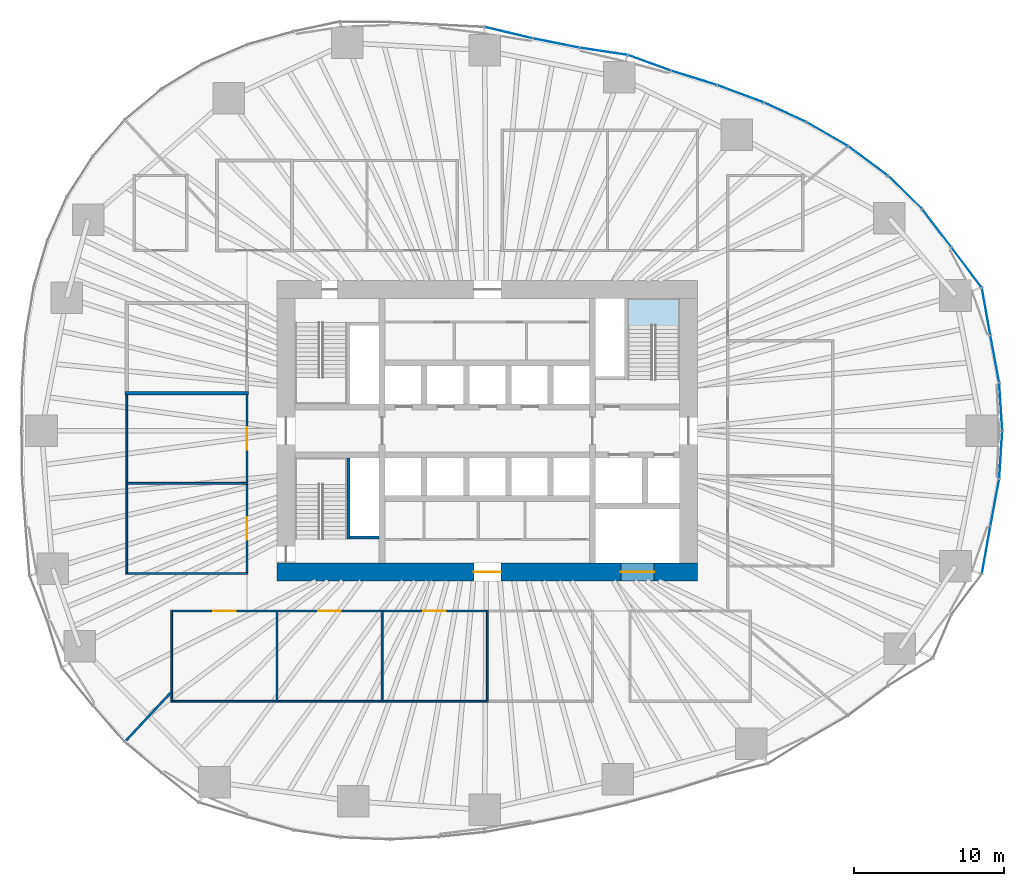
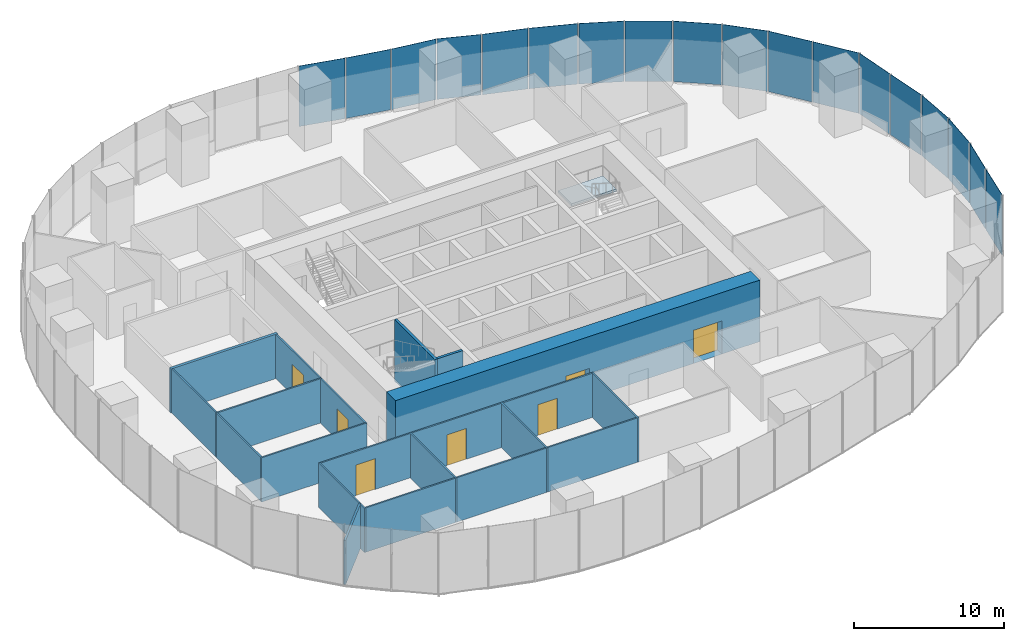
# One storey, part 9 of 20: 21 walls, 18 plates, 7 doors, 1 slab, 7 openings, 7 elements without a shape of their own.
"""IFC4 building model written with IfcOpenShell, lengths in metres."""

from ifc_helpers import new_model, si_unit, direction, frame, frame_2d, origin, origin_2d, place, context, subcontext, project, spatial, polyline, rectangle, outline, extrude, material, layer, layer_set, type_object, element, fill, aggregate, save


model = new_model("IFC4")

# Units and contexts
model_context = context("Model", 3, precision=1e-05, world=origin(), true_north=direction((0.0, 1.0)))
body_context = subcontext(model_context, "Body", "Model", "MODEL_VIEW")
ifc_project = project(units=[si_unit("LENGTHUNIT", "METRE"), si_unit("AREAUNIT", "SQUARE_METRE"), si_unit("VOLUMEUNIT", "CUBIC_METRE"), si_unit("PLANEANGLEUNIT", "RADIAN"), si_unit("MASSUNIT", "GRAM", prefix="KILO")], contexts=[model_context])

# Site, building, storey
site_placement = place(None, origin())
site = spatial("IfcSite", under=ifc_project, at=site_placement, CompositionType="ELEMENT")
building_placement = place(site_placement, origin())
building = spatial("IfcBuilding", under=site, at=building_placement, Name="Ghaith Harvest Tower", CompositionType="ELEMENT")
storey_placement = place(building_placement, frame((0.0, 0.0, 45.0)))
storey = spatial("IfcBuildingStorey", under=building, at=storey_placement, Name="L09", CompositionType="ELEMENT", Elevation=45.0)

# Curtain wall, plates
ifc_material_1 = material(Name="Black anodised aluminium and fritted glass", Category="aluminium")
curtain_wall_type = type_object("IfcCurtainWallType", Name="CW-F CURTAIN WALL", PredefinedType="NOTDEFINED", material=ifc_material_1)
curtain_wall_1_placement = place(storey_placement, origin())
curtain_wall_1 = element("IfcCurtainWall", 1, at=curtain_wall_1_placement, inside=storey, type_object=curtain_wall_type, Name="Curtain wall CW-F bay 01 L09", PredefinedType="NOTDEFINED")
ifc_material_2 = material(Name="Glass, high-transmission fritted double glazed unit", Category="glass")
ifc_layer_1 = layer(ifc_material_2, 0.028076171875)
ifc_layer_set_1 = layer_set([ifc_layer_1], Name="CW-F VISION PANEL")
plate_type = type_object("IfcPlateType", Name="CW-F VISION PANEL", PredefinedType="CURTAIN_PANEL", material=ifc_layer_set_1)
plate_1_placement = place(storey_placement, frame((34.181396484375, 1.602783203125, 0.080078125), z_axis=(0.0, 0.0, 1.0), x_axis=(-0.064445645786, 0.997921218704, 0.0)))
plate_1 = element("IfcPlate", 2, at=plate_1_placement, type_object=plate_type, Name="CW-F panel 1 bay 01 L09", PredefinedType="CURTAIN_PANEL", context=body_context, shape_type="SweptSolid", body=[
    extrude(rectangle(XDim=3.132080078125, YDim=0.028076171875, at=origin_2d()), origin(), (0.0, 0.0, 1.0), 4.919921875),
])
plate_2_placement = place(storey_placement, frame((33.78369140625, 4.78076171875, 0.080078125), z_axis=(0.0, 0.0, 1.0), x_axis=(-0.183569249502, 0.983006780565, 0.0)))
plate_2 = element("IfcPlate", 3, at=plate_2_placement, type_object=plate_type, Name="CW-F panel 2 bay 01 L09", PredefinedType="CURTAIN_PANEL", context=body_context, shape_type="SweptSolid", body=[
    extrude(rectangle(XDim=3.12548828125, YDim=0.028076171875, at=origin_2d()), origin(), (0.0, 0.0, 1.0), 4.919921875),
])
plate_3_placement = place(storey_placement, frame((33.20654296875, 7.93603515625, 0.080078125), z_axis=(0.0, 0.0, 1.0), x_axis=(-0.176319663586, 0.984332960046, 0.0)))
plate_3 = element("IfcPlate", 4, at=plate_3_placement, type_object=plate_type, Name="CW-F panel 3 bay 01 L09", PredefinedType="CURTAIN_PANEL", context=body_context, shape_type="SweptSolid", body=[
    extrude(rectangle(XDim=3.129638671875, YDim=0.028076171875, at=origin_2d()), origin(), (0.0, 0.0, 1.0), 4.919921875),
])
aggregate(curtain_wall_1, [plate_1, plate_2, plate_3])

curtain_wall_2_placement = place(storey_placement, origin())
curtain_wall_2 = element("IfcCurtainWall", 5, at=curtain_wall_2_placement, inside=storey, type_object=curtain_wall_type, Name="Curtain wall CW-F bay 02 L09", PredefinedType="NOTDEFINED")
plate_4_placement = place(storey_placement, frame((31.91015625, 10.865234375, 0.080078125), z_axis=(0.0, 0.0, 1.0), x_axis=(-0.600454091192, 0.799659230154, 0.0)))
plate_4 = element("IfcPlate", 6, at=plate_4_placement, type_object=plate_type, Name="CW-F panel 1 bay 02 L09", PredefinedType="CURTAIN_PANEL", context=body_context, shape_type="SweptSolid", body=[
    extrude(rectangle(XDim=3.295654296875, YDim=0.028076171875, at=origin_2d()), origin(), (0.0, 0.0, 1.0), 4.919921875),
])
plate_5_placement = place(storey_placement, frame((29.921875, 13.4892578125, 0.080078125), z_axis=(0.0, 0.0, 1.0), x_axis=(-0.607611877494, 0.794234100457, 0.0)))
plate_5 = element("IfcPlate", 7, at=plate_5_placement, type_object=plate_type, Name="CW-F panel 2 bay 02 L09", PredefinedType="CURTAIN_PANEL", context=body_context, shape_type="SweptSolid", body=[
    extrude(rectangle(XDim=3.128662109375, YDim=0.028076171875, at=origin_2d()), origin(), (0.0, 0.0, 1.0), 4.919921875),
])
plate_6_placement = place(storey_placement, frame((27.810546875, 15.869384765625, 0.080078125), z_axis=(0.0, 0.0, 1.0), x_axis=(-0.716691335472, 0.69739051446, 0.0)))
plate_6 = element("IfcPlate", 8, at=plate_6_placement, type_object=plate_type, Name="CW-F panel 3 bay 02 L09", PredefinedType="CURTAIN_PANEL", context=body_context, shape_type="SweptSolid", body=[
    extrude(rectangle(XDim=3.092041015625, YDim=0.028076171875, at=origin_2d()), origin(), (0.0, 0.0, 1.0), 4.919921875),
])
aggregate(curtain_wall_2, [plate_4, plate_5, plate_6])

curtain_wall_3_placement = place(storey_placement, origin())
curtain_wall_3 = element("IfcCurtainWall", 9, at=curtain_wall_3_placement, inside=storey, type_object=curtain_wall_type, Name="Curtain wall CW-F bay 03 L09", PredefinedType="NOTDEFINED")
plate_7_placement = place(storey_placement, frame((25.34619140625, 17.96142578125, 0.080078125), z_axis=(0.0, 0.0, 1.0), x_axis=(-0.802866788578, 0.596158468697, 0.0)))
plate_7 = element("IfcPlate", 10, at=plate_7_placement, type_object=plate_type, Name="CW-F panel 1 bay 03 L09", PredefinedType="CURTAIN_PANEL", context=body_context, shape_type="SweptSolid", body=[
    extrude(rectangle(XDim=3.2275390625, YDim=0.028076171875, at=origin_2d()), origin(), (0.0, 0.0, 1.0), 4.919921875),
])
plate_8_placement = place(storey_placement, frame((22.626953125, 19.750244140625, 0.080078125), z_axis=(0.0, 0.0, 1.0), x_axis=(-0.866159208358, 0.499768172033, 0.0)))
plate_8 = element("IfcPlate", 11, at=plate_8_placement, type_object=plate_type, Name="CW-F panel 2 bay 03 L09", PredefinedType="CURTAIN_PANEL", context=body_context, shape_type="SweptSolid", body=[
    extrude(rectangle(XDim=3.1328125, YDim=0.028076171875, at=origin_2d()), origin(), (0.0, 0.0, 1.0), 4.919921875),
])
plate_9_placement = place(storey_placement, frame((19.8291015625, 21.19970703125, 0.080078125), z_axis=(0.0, 0.0, 1.0), x_axis=(-0.908529586897, 0.417820523351, 0.0)))
plate_9 = element("IfcPlate", 12, at=plate_9_placement, type_object=plate_type, Name="CW-F panel 3 bay 03 L09", PredefinedType="CURTAIN_PANEL", context=body_context, shape_type="SweptSolid", body=[
    extrude(rectangle(XDim=3.01611328125, YDim=0.028076171875, at=origin_2d()), origin(), (0.0, 0.0, 1.0), 4.919921875),
])
aggregate(curtain_wall_3, [plate_7, plate_8, plate_9])

curtain_wall_4_placement = place(storey_placement, origin())
curtain_wall_4 = element("IfcCurtainWall", 13, at=curtain_wall_4_placement, inside=storey, type_object=curtain_wall_type, Name="Curtain wall CW-F bay 04 L09", PredefinedType="NOTDEFINED")
plate_10_placement = place(storey_placement, frame((16.85498046875, 22.431396484375, 0.080078125), z_axis=(0.0, 0.0, 1.0), x_axis=(-0.936926487964, 0.349526474178, 0.0)))
plate_10 = element("IfcPlate", 14, at=plate_10_placement, type_object=plate_type, Name="CW-F panel 1 bay 04 L09", PredefinedType="CURTAIN_PANEL", context=body_context, shape_type="SweptSolid", body=[
    extrude(rectangle(XDim=3.26611328125, YDim=0.028076171875, at=origin_2d()), origin(), (0.0, 0.0, 1.0), 4.919921875),
])
plate_11_placement = place(storey_placement, frame((13.760986328125, 23.490234375, 0.080078125), z_axis=(0.0, 0.0, 1.0), x_axis=(-0.954988265421, 0.296643578911, 0.0)))
plate_11 = element("IfcPlate", 15, at=plate_11_placement, type_object=plate_type, Name="CW-F panel 2 bay 04 L09", PredefinedType="CURTAIN_PANEL", context=body_context, shape_type="SweptSolid", body=[
    extrude(rectangle(XDim=3.1171875, YDim=0.028076171875, at=origin_2d()), origin(), (0.0, 0.0, 1.0), 4.919921875),
])
plate_12_placement = place(storey_placement, frame((10.793212890625, 24.490234375, 0.080078125), z_axis=(0.0, 0.0, 1.0), x_axis=(-0.939438435482, 0.342717705902, 0.0)))
plate_12 = element("IfcPlate", 16, at=plate_12_placement, type_object=plate_type, Name="CW-F panel 3 bay 04 L09", PredefinedType="CURTAIN_PANEL", context=body_context, shape_type="SweptSolid", body=[
    extrude(rectangle(XDim=2.98828125, YDim=0.028076171875, at=origin_2d()), origin(), (0.0, 0.0, 1.0), 4.919921875),
])
aggregate(curtain_wall_4, [plate_10, plate_11, plate_12])

curtain_wall_5_placement = place(storey_placement, origin())
curtain_wall_5 = element("IfcCurtainWall", 17, at=curtain_wall_5_placement, inside=storey, type_object=curtain_wall_type, Name="Curtain wall CW-F bay 05 L09", PredefinedType="NOTDEFINED")
plate_13_placement = place(storey_placement, frame((7.744384765625, 25.255615234375, 0.080078125), z_axis=(0.0, 0.0, 1.0), x_axis=(-0.989074249382, 0.147418211935, 0.0)))
plate_13 = element("IfcPlate", 18, at=plate_13_placement, type_object=plate_type, Name="CW-F panel 1 bay 05 L09", PredefinedType="CURTAIN_PANEL", context=body_context, shape_type="SweptSolid", body=[
    extrude(rectangle(XDim=3.17041015625, YDim=0.028076171875, at=origin_2d()), origin(), (0.0, 0.0, 1.0), 4.919921875),
])
plate_14_placement = place(storey_placement, frame((4.5732421875, 25.809326171875, 0.080078125), z_axis=(0.0, 0.0, 1.0), x_axis=(-0.980432348069, 0.196856320344, 0.0)))
plate_14 = element("IfcPlate", 19, at=plate_14_placement, type_object=plate_type, Name="CW-F panel 2 bay 05 L09", PredefinedType="CURTAIN_PANEL", context=body_context, shape_type="SweptSolid", body=[
    extrude(rectangle(XDim=3.1103515625, YDim=0.028076171875, at=origin_2d()), origin(), (0.0, 0.0, 1.0), 4.919921875),
])
plate_15_placement = place(storey_placement, frame((1.41259765625, 26.500244140625, 0.080078125), z_axis=(0.0, 0.0, 1.0), x_axis=(-0.97324595378, 0.229765779545, 0.0)))
plate_15 = element("IfcPlate", 20, at=plate_15_placement, type_object=plate_type, Name="CW-F panel 3 bay 05 L09", PredefinedType="CURTAIN_PANEL", context=body_context, shape_type="SweptSolid", body=[
    extrude(rectangle(XDim=3.200927734375, YDim=0.028076171875, at=origin_2d()), origin(), (0.0, 0.0, 1.0), 4.919921875),
])
aggregate(curtain_wall_5, [plate_13, plate_14, plate_15])

curtain_wall_6_placement = place(storey_placement, origin())
curtain_wall_6 = element("IfcCurtainWall", 21, at=curtain_wall_6_placement, inside=storey, type_object=curtain_wall_type, Name="Curtain wall CW-F bay 20 L09", PredefinedType="NOTDEFINED")
plate_16_placement = place(storey_placement, frame((33.20654296875, -7.93603515625, 0.080078125), z_axis=(0.0, 0.0, 1.0), x_axis=(0.176319663878, 0.984332959994, 0.0)))
plate_16 = element("IfcPlate", 22, at=plate_16_placement, type_object=plate_type, Name="CW-F panel 1 bay 20 L09", PredefinedType="CURTAIN_PANEL", context=body_context, shape_type="SweptSolid", body=[
    extrude(rectangle(XDim=3.129638671875, YDim=0.028076171875, at=origin_2d()), origin(), (0.0, 0.0, 1.0), 4.919921875),
])
plate_17_placement = place(storey_placement, frame((33.78369140625, -4.78076171875, 0.080078125), z_axis=(0.0, 0.0, 1.0), x_axis=(0.183569249777, 0.983006780514, 0.0)))
plate_17 = element("IfcPlate", 23, at=plate_17_placement, type_object=plate_type, Name="CW-F panel 2 bay 20 L09", PredefinedType="CURTAIN_PANEL", context=body_context, shape_type="SweptSolid", body=[
    extrude(rectangle(XDim=3.12548828125, YDim=0.028076171875, at=origin_2d()), origin(), (0.0, 0.0, 1.0), 4.919921875),
])
plate_18_placement = place(storey_placement, frame((34.181396484375, -1.602783203125, 0.080078125), z_axis=(0.0, 0.0, 1.0), x_axis=(0.064445645891, 0.997921218697, 0.0)))
plate_18 = element("IfcPlate", 24, at=plate_18_placement, type_object=plate_type, Name="CW-F panel 3 bay 20 L09", PredefinedType="CURTAIN_PANEL", context=body_context, shape_type="SweptSolid", body=[
    extrude(rectangle(XDim=3.132080078125, YDim=0.028076171875, at=origin_2d()), origin(), (0.0, 0.0, 1.0), 4.919921875),
])
aggregate(curtain_wall_6, [plate_16, plate_17, plate_18])

# Stair, slab
ifc_material_3 = material(Name="Concrete C40/50, precast", Category="concrete")
stair_type = type_object("IfcStairType", Name="CORE STAIR 28R", PredefinedType="HALF_TURN_STAIR", material=ifc_material_3)
stair_placement = place(storey_placement, origin())
stair = element("IfcStair", 25, at=stair_placement, inside=storey, type_object=stair_type, Name="Stair ST2 L09", PredefinedType="HALF_TURN_STAIR")
ifc_material_4 = material(Name="Concrete C40/50, precast", Category="concrete")
ifc_layer_2 = layer(ifc_material_4, 0.179931640625)
ifc_layer_set_2 = layer_set([ifc_layer_2], Name="STAIR LANDING 180")
slab_type = type_object("IfcSlabType", Name="STAIR LANDING 180", PredefinedType="LANDING", material=ifc_layer_set_2)
slab_placement = place(storey_placement, frame((0.0, 0.0, 2.320068359375)))
slab = element("IfcSlab", 26, at=slab_placement, type_object=slab_type, Name="ST2 landing 1", PredefinedType="LANDING", context=body_context, shape_type="SweptSolid", body=[
    extrude(outline(polyline([(12.800048828125, 7.02001953125), (12.800048828125, 8.800048828125), (9.35009765625, 8.800048828125), (9.35009765625, 7.02001953125), (12.800048828125, 7.02001953125)])), origin(), (0.0, 0.0, 1.0), 0.179931640625),
])
aggregate(stair, [slab])

# Wall
ifc_material_5 = material(Name="Concrete blockwork, 1-hour", Category="masonry")
ifc_layer_3 = layer(ifc_material_5, 0.215087890625)
ifc_layer_set_3 = layer_set([ifc_layer_3], Name="BLOCKWORK WALL 215")
wall_type_1 = type_object("IfcWallType", Name="BLOCKWORK WALL 215", PredefinedType="PARTITIONING", material=ifc_layer_set_3)
wall_1_placement = place(storey_placement, frame((-15.892578125, 2.5, 0.0), z_axis=(0.0, 0.0, 1.0), x_axis=(-1.0, 0.0, 0.0)))
element("IfcWall", 27, at=wall_1_placement, inside=storey, type_object=wall_type_1, Name="Partition L09 row W3 cross wall 3", PredefinedType="PARTITIONING", context=body_context, shape_type="SweptSolid", body=[
    extrude(rectangle(XDim=8.21484375, YDim=0.215087890625, at=frame_2d((4.107421875, 0.0))), origin(), (0.0, 0.0, 1.0), 3.60009765625),
])

# Wall, openings, doors
ifc_material_6 = material(Name="Concrete C70/85", Category="concrete")
ifc_layer_4 = layer(ifc_material_6, 1.199951171875)
ifc_layer_set_4 = layer_set([ifc_layer_4], Name="CORE WALL CW1200")
wall_type_2 = type_object("IfcWallType", Name="CORE WALL CW1200", PredefinedType="SHEAR", material=ifc_layer_set_4)
wall_2_placement = place(storey_placement, frame((-14.0, -9.39990234375, 0.0), z_axis=(0.0, 0.0, 1.0), x_axis=(1.0, 0.0, 0.0)))
wall_2 = element("IfcWall", 28, at=wall_2_placement, inside=storey, type_object=wall_type_2, Name="Core wall S L09", PredefinedType="SHEAR", context=body_context, shape_type="SweptSolid", body=[
    extrude(rectangle(XDim=28.0, YDim=1.199951171875, at=frame_2d((14.0, 0.0))), origin(), (0.0, 0.0, 1.0), 5.0),
])
opening_1_placement = place(wall_2_placement, frame((13.10009765625, 0.0, 0.0)))
opening_1 = element("IfcOpeningElement", 29, at=opening_1_placement, cuts=wall_2, Name="Opening 09-016", PredefinedType="OPENING", context=body_context, shape_type="SweptSolid", body=[
    extrude(rectangle(XDim=1.800048828125, YDim=2.39990234375, at=frame_2d((0.89990234375, 1.199951171875))), frame((0.0, 0.60986328125, 0.0), z_axis=(0.0, -1.0, 0.0), x_axis=(1.0, 0.0, 0.0)), (0.0, 0.0, 1.0), 1.219970703125),
])
opening_2_placement = place(wall_2_placement, frame((22.89990234375, 0.0, 0.0)))
opening_2 = element("IfcOpeningElement", 30, at=opening_2_placement, cuts=wall_2, Name="Opening 09-023", PredefinedType="OPENING", context=body_context, shape_type="SweptSolid", body=[
    extrude(rectangle(XDim=2.199951171875, YDim=2.699951171875, at=frame_2d((1.10009765625, 1.35009765625))), frame((0.0, 0.60986328125, 0.0), z_axis=(0.0, -1.0, 0.0), x_axis=(1.0, 0.0, 0.0)), (0.0, 0.0, 1.0), 1.219970703125),
])
ifc_material_7 = material(Name="Steel fire door", Category="steel")
door_type_1 = type_object("IfcDoorType", Name="D4 FD90 PAIR 1800x2400", OperationType="DOUBLE_DOOR_SINGLE_SWING", PredefinedType="DOOR", material=ifc_material_7)
door_1_placement = place(opening_1_placement, origin())
door_1 = element("IfcDoor", 31, at=door_1_placement, inside=storey, type_object=door_type_1, Name="Core service corridor doors", OperationType="DOUBLE_DOOR_SINGLE_SWING", OverallHeight=2.39990234375, OverallWidth=1.800048828125, PredefinedType="DOOR", context=body_context, shape_type="SweptSolid", body=[
    extrude(rectangle(XDim=1.800048828125, YDim=2.39990234375, at=frame_2d((0.89990234375, 1.199951171875))), frame((0.0, 0.02490234375, 0.0), z_axis=(0.0, -1.0, 0.0), x_axis=(1.0, 0.0, 0.0)), (0.0, 0.0, 1.0), 0.050048828125),
])
fill(opening_1, door_1)
ifc_material_8 = material(Name="Steel fire door", Category="steel")
door_type_2 = type_object("IfcDoorType", Name="LD3 LANDING 2200x2700", OperationType="DOUBLE_DOOR_SLIDING", PredefinedType="DOOR", material=ifc_material_8)
door_2_placement = place(opening_2_placement, origin())
door_2 = element("IfcDoor", 32, at=door_2_placement, inside=storey, type_object=door_type_2, Name="Landing door, goods lift GL1", OperationType="DOUBLE_DOOR_SLIDING", OverallHeight=2.699951171875, OverallWidth=2.199951171875, PredefinedType="DOOR", context=body_context, shape_type="SweptSolid", body=[
    extrude(rectangle(XDim=2.199951171875, YDim=2.699951171875, at=frame_2d((1.10009765625, 1.35009765625))), frame((0.0, 0.02490234375, 0.0), z_axis=(0.0, -1.0, 0.0), x_axis=(1.0, 0.0, 0.0)), (0.0, 0.0, 1.0), 0.050048828125),
])
fill(opening_2, door_2)

# Walls
ifc_material_9 = material(Name="Insulated food-grade panel", Category="steel")
ifc_layer_5 = layer(ifc_material_9, 0.1201171875)
ifc_layer_set_5 = layer_set([ifc_layer_5], Name="INSULATED PANEL WALL 120")
wall_type_3 = type_object("IfcWallType", Name="INSULATED PANEL WALL 120", PredefinedType="PARTITIONING", material=ifc_layer_set_5)
for number, where, z_axis, x_axis, name in (
    (33, (-21.0, -11.93994140625, 0.0), (0.0, 0.0, 1.0), (0.0, -1.0, 0.0), "Partition L09 row S1 cross wall 1"),
    (34, (-14.0, -11.93994140625, 0.0), (0.0, 0.0, 1.0), (0.0, -1.0, 0.0), "Partition L09 row S1 cross wall 2"),
    (35, (-7.0, -11.93994140625, 0.0), (0.0, 0.0, 1.0), (0.0, -1.0, 0.0), "Partition L09 row S1 cross wall 3"),
    (36, (0.0, -11.93994140625, 0.0), (0.0, 0.0, 1.0), (0.0, -1.0, 0.0), "Partition L09 row S1 cross wall 4"),
):
    element("IfcWall", number, at=place(storey_placement, frame(where, z_axis=z_axis, x_axis=x_axis)), inside=storey, type_object=wall_type_3, Name=name, PredefinedType="PARTITIONING", context=body_context, shape_type="SweptSolid", body=[
        extrude(rectangle(XDim=6.1201171875, YDim=0.1201171875, at=frame_2d((3.06005859375, 0.0))), origin(), (0.0, 0.0, 1.0), 3.60009765625),
    ])

# Wall, opening, door
wall_3_placement = place(storey_placement, frame((-20.93994140625, -12.0, 0.0), z_axis=(0.0, 0.0, 1.0), x_axis=(1.0, 0.0, 0.0)))
wall_3 = element("IfcWall", 37, at=wall_3_placement, inside=storey, type_object=wall_type_3, Name="Partition L09-01", PredefinedType="PARTITIONING", context=body_context, shape_type="SweptSolid", body=[
    extrude(rectangle(XDim=6.8798828125, YDim=0.1201171875, at=frame_2d((3.43994140625, 0.0))), origin(), (0.0, 0.0, 1.0), 3.60009765625),
])
opening_3_placement = place(wall_3_placement, frame((2.68994140625, 0.0, 0.0)))
opening_3 = element("IfcOpeningElement", 38, at=opening_3_placement, cuts=wall_3, Name="Opening 09-024", PredefinedType="OPENING", context=body_context, shape_type="SweptSolid", body=[
    extrude(rectangle(XDim=1.5, YDim=2.5, at=frame_2d((0.75, 1.25))), frame((0.0, 0.070068359375, 0.0), z_axis=(0.0, -1.0, 0.0), x_axis=(1.0, 0.0, 0.0)), (0.0, 0.0, 1.0), 0.14013671875),
])
ifc_material_10 = material(Name="Insulated steel sliding door", Category="steel")
door_type_3 = type_object("IfcDoorType", Name="D13 COLD STORE SLIDING 1500x2500", OperationType="SLIDING_TO_LEFT", PredefinedType="DOOR", material=ifc_material_10)
door_3_placement = place(opening_3_placement, origin())
door_3 = element("IfcDoor", 39, at=door_3_placement, inside=storey, type_object=door_type_3, Name="Racked growing room door", OperationType="SLIDING_TO_LEFT", OverallHeight=2.5, OverallWidth=1.5, PredefinedType="DOOR", context=body_context, shape_type="SweptSolid", body=[
    extrude(rectangle(XDim=1.5, YDim=2.5, at=frame_2d((0.75, 1.25))), frame((0.0, 0.02490234375, 0.0), z_axis=(0.0, -1.0, 0.0), x_axis=(1.0, 0.0, 0.0)), (0.0, 0.0, 1.0), 0.050048828125),
])
fill(opening_3, door_3)

# Wall
wall_4_placement = place(storey_placement, frame((-20.93994140625, -18.0, 0.0), z_axis=(0.0, 0.0, 1.0), x_axis=(1.0, 0.0, 0.0)))
element("IfcWall", 40, at=wall_4_placement, inside=storey, type_object=wall_type_3, Name="Partition L09-01", PredefinedType="PARTITIONING", context=body_context, shape_type="SweptSolid", body=[
    extrude(rectangle(XDim=6.8798828125, YDim=0.1201171875, at=frame_2d((3.43994140625, 0.0))), origin(), (0.0, 0.0, 1.0), 3.60009765625),
])

# Wall, opening, door
wall_5_placement = place(storey_placement, frame((-13.93994140625, -12.0, 0.0), z_axis=(0.0, 0.0, 1.0), x_axis=(1.0, 0.0, 0.0)))
wall_5 = element("IfcWall", 41, at=wall_5_placement, inside=storey, type_object=wall_type_3, Name="Partition L09-02", PredefinedType="PARTITIONING", context=body_context, shape_type="SweptSolid", body=[
    extrude(rectangle(XDim=6.8798828125, YDim=0.1201171875, at=frame_2d((3.43994140625, 0.0))), origin(), (0.0, 0.0, 1.0), 3.60009765625),
])
opening_4_placement = place(wall_5_placement, frame((2.68994140625, 0.0, 0.0)))
opening_4 = element("IfcOpeningElement", 42, at=opening_4_placement, cuts=wall_5, Name="Opening 09-025", PredefinedType="OPENING", context=body_context, shape_type="SweptSolid", body=[
    extrude(rectangle(XDim=1.5, YDim=2.5, at=frame_2d((0.75, 1.25))), frame((0.0, 0.070068359375, 0.0), z_axis=(0.0, -1.0, 0.0), x_axis=(1.0, 0.0, 0.0)), (0.0, 0.0, 1.0), 0.14013671875),
])
door_4_placement = place(opening_4_placement, origin())
door_4 = element("IfcDoor", 43, at=door_4_placement, inside=storey, type_object=door_type_3, Name="Racked growing room door", OperationType="SLIDING_TO_LEFT", OverallHeight=2.5, OverallWidth=1.5, PredefinedType="DOOR", context=body_context, shape_type="SweptSolid", body=[
    extrude(rectangle(XDim=1.5, YDim=2.5, at=frame_2d((0.75, 1.25))), frame((0.0, 0.02490234375, 0.0), z_axis=(0.0, -1.0, 0.0), x_axis=(1.0, 0.0, 0.0)), (0.0, 0.0, 1.0), 0.050048828125),
])
fill(opening_4, door_4)

# Wall
wall_6_placement = place(storey_placement, frame((-13.93994140625, -18.0, 0.0), z_axis=(0.0, 0.0, 1.0), x_axis=(1.0, 0.0, 0.0)))
element("IfcWall", 44, at=wall_6_placement, inside=storey, type_object=wall_type_3, Name="Partition L09-02", PredefinedType="PARTITIONING", context=body_context, shape_type="SweptSolid", body=[
    extrude(rectangle(XDim=6.8798828125, YDim=0.1201171875, at=frame_2d((3.43994140625, 0.0))), origin(), (0.0, 0.0, 1.0), 3.60009765625),
])

# Wall, opening, door
wall_7_placement = place(storey_placement, frame((-6.93994140625, -12.0, 0.0), z_axis=(0.0, 0.0, 1.0), x_axis=(1.0, 0.0, 0.0)))
wall_7 = element("IfcWall", 45, at=wall_7_placement, inside=storey, type_object=wall_type_3, Name="Partition L09-03", PredefinedType="PARTITIONING", context=body_context, shape_type="SweptSolid", body=[
    extrude(rectangle(XDim=6.8798828125, YDim=0.1201171875, at=frame_2d((3.43994140625, 0.0))), origin(), (0.0, 0.0, 1.0), 3.60009765625),
])
opening_5_placement = place(wall_7_placement, frame((2.68994140625, 0.0, 0.0)))
opening_5 = element("IfcOpeningElement", 46, at=opening_5_placement, cuts=wall_7, Name="Opening 09-026", PredefinedType="OPENING", context=body_context, shape_type="SweptSolid", body=[
    extrude(rectangle(XDim=1.5, YDim=2.5, at=frame_2d((0.75, 1.25))), frame((0.0, 0.070068359375, 0.0), z_axis=(0.0, -1.0, 0.0), x_axis=(1.0, 0.0, 0.0)), (0.0, 0.0, 1.0), 0.14013671875),
])
door_5_placement = place(opening_5_placement, origin())
door_5 = element("IfcDoor", 47, at=door_5_placement, inside=storey, type_object=door_type_3, Name="Racked growing room door", OperationType="SLIDING_TO_LEFT", OverallHeight=2.5, OverallWidth=1.5, PredefinedType="DOOR", context=body_context, shape_type="SweptSolid", body=[
    extrude(rectangle(XDim=1.5, YDim=2.5, at=frame_2d((0.75, 1.25))), frame((0.0, 0.02490234375, 0.0), z_axis=(0.0, -1.0, 0.0), x_axis=(1.0, 0.0, 0.0)), (0.0, 0.0, 1.0), 0.050048828125),
])
fill(opening_5, door_5)

# Walls
wall_8_placement = place(storey_placement, frame((-6.93994140625, -18.0, 0.0), z_axis=(0.0, 0.0, 1.0), x_axis=(1.0, 0.0, 0.0)))
element("IfcWall", 48, at=wall_8_placement, inside=storey, type_object=wall_type_3, Name="Partition L09-03", PredefinedType="PARTITIONING", context=body_context, shape_type="SweptSolid", body=[
    extrude(rectangle(XDim=6.8798828125, YDim=0.1201171875, at=frame_2d((3.43994140625, 0.0))), origin(), (0.0, 0.0, 1.0), 3.60009765625),
])
for number, where, z_axis, x_axis, name in (
    (49, (-15.93994140625, -9.5, 0.0), (0.0, 0.0, 1.0), (-1.0, 0.0, 0.0), "Partition L09 row W3 cross wall 1"),
    (50, (-15.93994140625, -3.5, 0.0), (0.0, 0.0, 1.0), (-1.0, 0.0, 0.0), "Partition L09 row W3 cross wall 2"),
):
    element("IfcWall", number, at=place(storey_placement, frame(where, z_axis=z_axis, x_axis=x_axis)), inside=storey, type_object=wall_type_3, Name=name, PredefinedType="PARTITIONING", context=body_context, shape_type="SweptSolid", body=[
        extrude(rectangle(XDim=8.1201171875, YDim=0.1201171875, at=frame_2d((4.06005859375, 0.0))), origin(), (0.0, 0.0, 1.0), 3.60009765625),
    ])

# Wall, opening, door
wall_9_placement = place(storey_placement, frame((-16.0, -9.43994140625, 0.0), z_axis=(0.0, 0.0, 1.0), x_axis=(0.0, 1.0, 0.0)))
wall_9 = element("IfcWall", 51, at=wall_9_placement, inside=storey, type_object=wall_type_3, Name="Partition L09-06", PredefinedType="PARTITIONING", context=body_context, shape_type="SweptSolid", body=[
    extrude(rectangle(XDim=5.8798828125, YDim=0.1201171875, at=frame_2d((2.93994140625, 0.0))), origin(), (0.0, 0.0, 1.0), 3.60009765625),
])
opening_6_placement = place(wall_9_placement, frame((2.18994140625, 0.0, 0.0)))
opening_6 = element("IfcOpeningElement", 52, at=opening_6_placement, cuts=wall_9, Name="Opening 09-029", PredefinedType="OPENING", context=body_context, shape_type="SweptSolid", body=[
    extrude(rectangle(XDim=1.5, YDim=2.5, at=frame_2d((0.75, 1.25))), frame((0.0, 0.070068359375, 0.0), z_axis=(0.0, -1.0, 0.0), x_axis=(1.0, 0.0, 0.0)), (0.0, 0.0, 1.0), 0.14013671875),
])
door_6_placement = place(opening_6_placement, origin())
door_6 = element("IfcDoor", 53, at=door_6_placement, inside=storey, type_object=door_type_3, Name="Racked growing room door", OperationType="SLIDING_TO_LEFT", OverallHeight=2.5, OverallWidth=1.5, PredefinedType="DOOR", context=body_context, shape_type="SweptSolid", body=[
    extrude(rectangle(XDim=1.5, YDim=2.5, at=frame_2d((0.75, 1.25))), frame((0.0, 0.02490234375, 0.0), z_axis=(0.0, -1.0, 0.0), x_axis=(1.0, 0.0, 0.0)), (0.0, 0.0, 1.0), 0.050048828125),
])
fill(opening_6, door_6)

# Wall
wall_10_placement = place(storey_placement, frame((-24.0, -9.43994140625, 0.0), z_axis=(0.0, 0.0, 1.0), x_axis=(0.0, 1.0, 0.0)))
element("IfcWall", 54, at=wall_10_placement, inside=storey, type_object=wall_type_3, Name="Partition L09-06", PredefinedType="PARTITIONING", context=body_context, shape_type="SweptSolid", body=[
    extrude(rectangle(XDim=5.8798828125, YDim=0.1201171875, at=frame_2d((2.93994140625, 0.0))), origin(), (0.0, 0.0, 1.0), 3.60009765625),
])

# Wall, opening, door
wall_11_placement = place(storey_placement, frame((-16.0, -3.43994140625, 0.0), z_axis=(0.0, 0.0, 1.0), x_axis=(0.0, 1.0, 0.0)))
wall_11 = element("IfcWall", 55, at=wall_11_placement, inside=storey, type_object=wall_type_3, Name="Partition L09-07", PredefinedType="PARTITIONING", context=body_context, shape_type="SweptSolid", body=[
    extrude(rectangle(XDim=5.83251953125, YDim=0.1201171875, at=frame_2d((2.916259765625, 0.0))), origin(), (0.0, 0.0, 1.0), 3.60009765625),
])
opening_7_placement = place(wall_11_placement, frame((2.166259765625, 0.0, 0.0)))
opening_7 = element("IfcOpeningElement", 56, at=opening_7_placement, cuts=wall_11, Name="Opening 09-030", PredefinedType="OPENING", context=body_context, shape_type="SweptSolid", body=[
    extrude(rectangle(XDim=1.5, YDim=2.5, at=frame_2d((0.75, 1.25))), frame((0.0, 0.070068359375, 0.0), z_axis=(0.0, -1.0, 0.0), x_axis=(1.0, 0.0, 0.0)), (0.0, 0.0, 1.0), 0.14013671875),
])
door_7_placement = place(opening_7_placement, origin())
door_7 = element("IfcDoor", 57, at=door_7_placement, inside=storey, type_object=door_type_3, Name="Racked growing room door", OperationType="SLIDING_TO_LEFT", OverallHeight=2.5, OverallWidth=1.5, PredefinedType="DOOR", context=body_context, shape_type="SweptSolid", body=[
    extrude(rectangle(XDim=1.5, YDim=2.5, at=frame_2d((0.75, 1.25))), frame((0.0, 0.02490234375, 0.0), z_axis=(0.0, -1.0, 0.0), x_axis=(1.0, 0.0, 0.0)), (0.0, 0.0, 1.0), 0.050048828125),
])
fill(opening_7, door_7)

# Walls
wall_12_placement = place(storey_placement, frame((-24.0, -3.43994140625, 0.0), z_axis=(0.0, 0.0, 1.0), x_axis=(0.0, 1.0, 0.0)))
element("IfcWall", 58, at=wall_12_placement, inside=storey, type_object=wall_type_3, Name="Partition L09-07", PredefinedType="PARTITIONING", context=body_context, shape_type="SweptSolid", body=[
    extrude(rectangle(XDim=5.83251953125, YDim=0.1201171875, at=frame_2d((2.916259765625, 0.0))), origin(), (0.0, 0.0, 1.0), 3.60009765625),
])
ifc_material_11 = material(Name="Gypsum board on steel studs", Category="steel")
ifc_layer_6 = layer(ifc_material_11, 0.14990234375)
ifc_layer_set_6 = layer_set([ifc_layer_6], Name="PARTITION 150")
wall_type_4 = type_object("IfcWallType", Name="PARTITION 150", PredefinedType="PARTITIONING", material=ifc_layer_set_6)
wall_13_placement = place(storey_placement, frame((-21.02001953125, -17.37548828125, 0.0), z_axis=(0.0, 0.0, 1.0), x_axis=(-0.682511222631, -0.730875113123, 0.0)))
element("IfcWall", 59, at=wall_13_placement, inside=storey, type_object=wall_type_4, Name="Partition L09 zone division", PredefinedType="PARTITIONING", context=body_context, shape_type="SweptSolid", body=[
    extrude(rectangle(XDim=4.4169921875, YDim=0.14990234375, at=frame_2d((2.20849609375, 0.0))), origin(), (0.0, 0.0, 1.0), 3.60009765625),
])
ifc_material_12 = material(Name="Concrete C40/50", Category="concrete")
ifc_layer_7 = layer(ifc_material_12, 0.199951171875)
ifc_layer_set_7 = layer_set([ifc_layer_7], Name="STAIR SPINE WALL RC200")
wall_type_5 = type_object("IfcWallType", Name="STAIR SPINE WALL RC200", PredefinedType="SOLIDWALL", material=ifc_layer_set_7)
wall_14_placement = place(storey_placement, frame((-9.25, -7.199951171875, 0.0), z_axis=(0.0, 0.0, 1.0), x_axis=(0.0, 1.0, 0.0)))
element("IfcWall", 60, at=wall_14_placement, inside=storey, type_object=wall_type_5, Name="Stair ST3 spine wall L09", PredefinedType="SOLIDWALL", context=body_context, shape_type="SweptSolid", body=[
    extrude(rectangle(XDim=5.39990234375, YDim=0.199951171875, at=frame_2d((2.699951171875, 0.0))), origin(), (0.0, 0.0, 1.0), 5.0),
])
wall_15_placement = place(storey_placement, frame((-9.14990234375, -7.10009765625, 0.0), z_axis=(0.0, 0.0, 1.0), x_axis=(1.0, 0.0, 0.0)))
element("IfcWall", 61, at=wall_15_placement, inside=storey, type_object=wall_type_5, Name="Stair ST3 spine wall return L09", PredefinedType="SOLIDWALL", context=body_context, shape_type="SweptSolid", body=[
    extrude(rectangle(XDim=1.949951171875, YDim=0.199951171875, at=frame_2d((0.97509765625, 0.0))), origin(), (0.0, 0.0, 1.0), 5.0),
])

save(model, "model.ifc")
